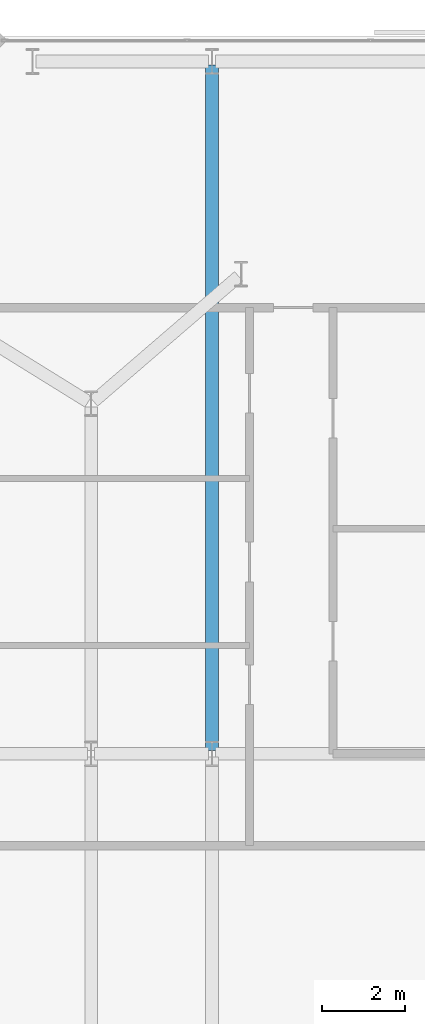
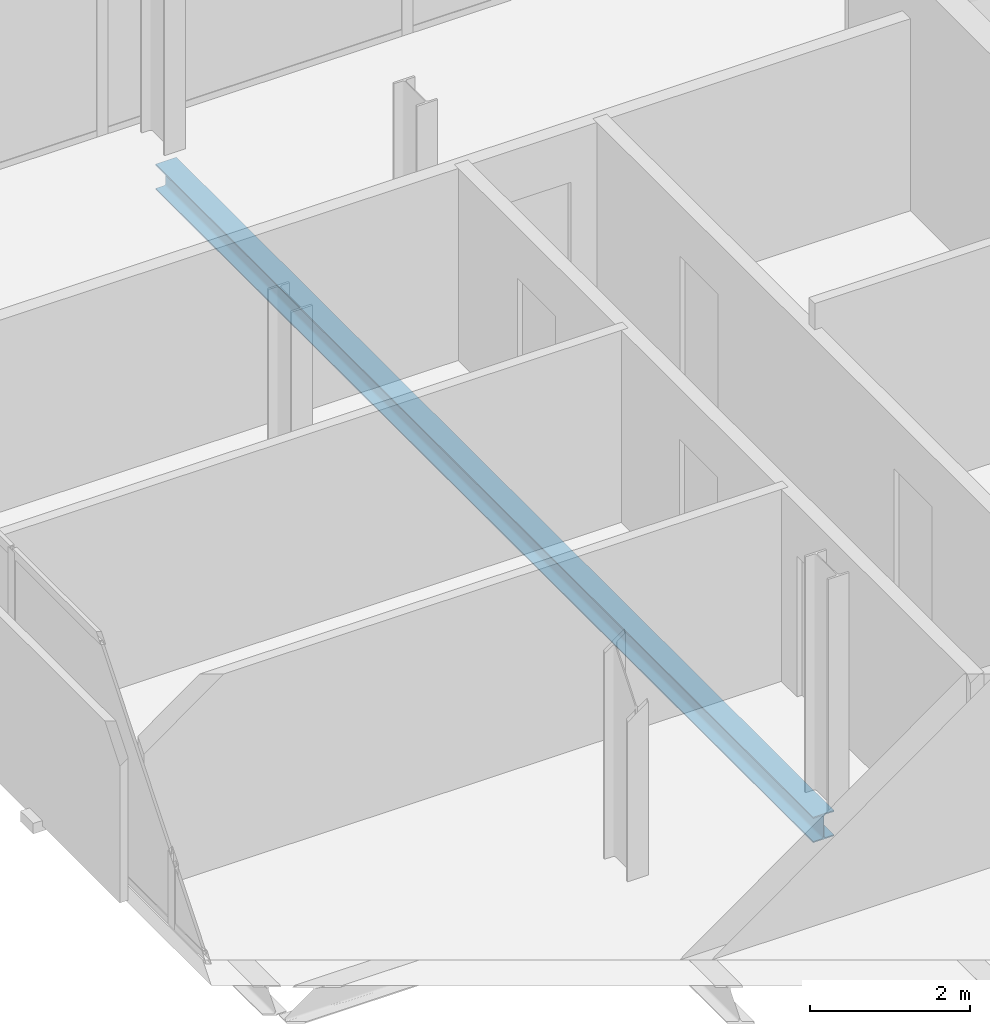
# One storey, part 18 of 32: 1 beam.
"""IFC4 building model written with IfcOpenShell, lengths in metres."""

import ifcopenshell
import ifcopenshell.guid

model = None  # the IFC model being written
_history = None  # IfcOwnerHistory: only IFC2X3 demands one
_inside = {}  # id of a spatial element -> (the spatial element, [elements in it])
_under = {}  # id of a project, library or spatial element -> (it, [spatial elements below it])
_declared = {}  # id of a project -> (the project, [libraries it declares])
_typed = {}  # id of a type object -> (the type object, [elements of that type])
_made_of = {}  # id of a material, layer set ... -> (it, [elements and type objects made of it])


def new_model(schema):
    """Start an empty IFC model of exactly this schema.

    Asked for "IFC4X3", IfcOpenShell would pick the latest addendum, in which some entities
    have other attributes; the version numbers below select the first issue.
    IFC2X3 requires an IfcOwnerHistory on every rooted entity: one is made here for all.
    """
    global model, _history
    if schema == "IFC4X3":
        model = ifcopenshell.file(schema_version=(4, 3, 0, 0))
    else:
        model = ifcopenshell.file(schema=schema)
    _inside.clear()
    _under.clear()
    _declared.clear()
    _typed.clear()
    _made_of.clear()
    _history = None
    if model.schema == "IFC2X3":
        org = make("IfcOrganization", Name="unknown")
        user = make(
            "IfcPersonAndOrganization",
            ThePerson=make("IfcPerson", FamilyName="unknown"),
            TheOrganization=org,
        )
        app = make(
            "IfcApplication",
            ApplicationDeveloper=org,
            Version="unknown",
            ApplicationFullName="unknown",
            ApplicationIdentifier="unknown",
        )
        _history = make(
            "IfcOwnerHistory",
            OwningUser=user,
            OwningApplication=app,
            ChangeAction="ADDED",
            CreationDate=0,
        )
    return model


def make(cls, **values):
    """One entity of the class cls with the attributes given. An attribute that is None is left unset."""
    return model.create_entity(
        cls, **{name: value for name, value in values.items() if value is not None}
    )


def rooted(cls, **values):
    """An entity with a GlobalId (a new one), such as an element, a storey or a relation."""
    return make(cls, GlobalId=ifcopenshell.guid.new(), OwnerHistory=_history, **values)


def si_unit(unit_type, name, prefix=None):
    """IfcSIUnit, for example si_unit("LENGTHUNIT", "METRE", prefix="MILLI")."""
    return make("IfcSIUnit", UnitType=unit_type, Prefix=prefix, Name=name)


def assignment(units):
    """IfcUnitAssignment: the units of a project."""
    return None if units is None else make("IfcUnitAssignment", Units=units)


def point(xyz):
    """IfcCartesianPoint."""
    return None if xyz is None else make("IfcCartesianPoint", Coordinates=xyz)


def direction(xyz):
    """IfcDirection."""
    return None if xyz is None else make("IfcDirection", DirectionRatios=xyz)


def frame(location, z_axis=None, x_axis=None):
    """IfcAxis2Placement3D, a coordinate frame: its origin and axes. An axis left out is left unset."""
    return make(
        "IfcAxis2Placement3D",
        Location=point(location),
        Axis=direction(z_axis),
        RefDirection=direction(x_axis),
    )


def frame_2d(location, x_axis=None):
    """IfcAxis2Placement2D, a coordinate frame in the plane: its origin and x axis."""
    return make(
        "IfcAxis2Placement2D", Location=point(location), RefDirection=direction(x_axis)
    )


def origin():
    """The frame at (0, 0, 0) with its axes left unset."""
    return frame((0.0, 0.0, 0.0))


def origin_2d():
    """The frame at (0, 0) in the plane with its x axis left unset."""
    return frame_2d((0.0, 0.0))


def place(relative_to, where):
    """IfcLocalPlacement: puts the frame where relative to a parent placement (None: the world)."""
    return make(
        "IfcLocalPlacement", PlacementRelTo=relative_to, RelativePlacement=where
    )


def context(
    kind, dimensions, precision=None, world=None, true_north=None, identifier=None
):
    """IfcGeometricRepresentationContext, for example the 3D "Model" context."""
    return make(
        "IfcGeometricRepresentationContext",
        ContextIdentifier=identifier,
        ContextType=kind,
        CoordinateSpaceDimension=dimensions,
        Precision=precision,
        WorldCoordinateSystem=world,
        TrueNorth=true_north,
    )


def subcontext(parent, identifier, kind, view, scale=None):
    """IfcGeometricRepresentationSubContext, for example "Body" below "Model"."""
    return make(
        "IfcGeometricRepresentationSubContext",
        ContextIdentifier=identifier,
        ContextType=kind,
        ParentContext=parent,
        TargetScale=scale,
        TargetView=view,
    )


def project(units=None, contexts=None):
    """IfcProject with its units and contexts."""
    return rooted(
        "IfcProject",
        Name="project",
        RepresentationContexts=contexts,
        UnitsInContext=assignment(units),
    )


def spatial(cls, under=None, at=None, **own):
    """A site, building, storey or space (cls), placed at a placement, below another one or the project."""
    s = rooted(cls, ObjectPlacement=at, **own)
    if under is not None:
        _under.setdefault(under.id(), (under, []))[1].append(s)
    return s


def profile(cls, at=None, kind="AREA", **sizes):
    """A parametric profile (cls). Its sizes go by their IFC names, for example OverallWidth=200.0."""
    return make(cls, ProfileType=kind, Position=at, **sizes)


def i_section(**sizes):
    """IfcIShapeProfileDef."""
    return profile("IfcIShapeProfileDef", **sizes)


def extrude(swept, where, along, depth):
    """IfcExtrudedAreaSolid: the profile swept, set in the frame where, extruded along a direction by depth."""
    return make(
        "IfcExtrudedAreaSolid",
        SweptArea=swept,
        Position=where,
        ExtrudedDirection=direction(along),
        Depth=depth,
    )


def shape(context_of_items, identifier, shape_type, items):
    """IfcShapeRepresentation: the items that make up one representation, for example the "Body"."""
    return make(
        "IfcShapeRepresentation",
        ContextOfItems=context_of_items,
        RepresentationIdentifier=identifier,
        RepresentationType=shape_type,
        Items=items,
    )


def material(Name=None, Category=None):
    """IfcMaterial."""
    return make("IfcMaterial", Name=Name, Category=Category)


def material_profile(
    of_material, cross_section, Name=None, Category=None, Priority=None
):
    """IfcMaterialProfile: a cross section and its material."""
    return make(
        "IfcMaterialProfile",
        Name=Name,
        Material=of_material,
        Profile=cross_section,
        Priority=Priority,
        Category=Category,
    )


def profile_set(profiles, Name=None, composite=None):
    """IfcMaterialProfileSet."""
    return make(
        "IfcMaterialProfileSet",
        Name=Name,
        MaterialProfiles=profiles,
        CompositeProfile=composite,
    )


def made_of(thing, what):
    """Note that an element or type object is made of a material, layer set ...; save() writes the relation."""
    if what is not None:
        _made_of.setdefault(what.id(), (what, []))[1].append(thing)
    return thing


def type_object(cls, material=None, **own):
    """A type object (cls), such as IfcWallType, which elements share."""
    return made_of(rooted(cls, **own), material)


def element(
    cls,
    number,
    at=None,
    inside=None,
    cuts=None,
    type_object=None,
    material=None,
    context=None,
    identifier="Body",
    shape_type=None,
    held_by="IfcProductDefinitionShape",
    body=None,
    shapes=None,
    **own,
):
    """One element of the class cls, such as IfcWall. Its Tag is "e" and its number.

    at: its placement. inside: the storey or other place that contains it. cuts: it is an
    opening in that element (IfcRelVoidsElement). A single representation is given by context,
    identifier, shape_type and body (its items); several are given by shapes. held_by: the class
    of the entity that holds the representations. save() writes the other relations.
    """
    e = rooted(cls, Tag="e%d" % number, ObjectPlacement=at, **own)
    if body is not None:
        shapes = [shape(context, identifier, shape_type, body)]
    if shapes is not None:
        e.Representation = make(held_by, Representations=shapes)
    if inside is not None:
        _inside.setdefault(inside.id(), (inside, []))[1].append(e)
    if cuts is not None:
        rooted(
            "IfcRelVoidsElement", RelatingBuildingElement=cuts, RelatedOpeningElement=e
        )
    if type_object is not None:
        _typed.setdefault(type_object.id(), (type_object, []))[1].append(e)
    return made_of(e, material)


def aggregate(whole, parts):
    """IfcRelAggregates: a whole, such as a stair, and the parts it consists of."""
    return rooted("IfcRelAggregates", RelatingObject=whole, RelatedObjects=parts)


def save(model, path):
    """Write the relations noted so far, then the file.

    IfcRelAggregates (storeys below a building ...), IfcRelContainedInSpatialStructure (elements
    in a storey), IfcRelDefinesByType, IfcRelAssociatesMaterial and IfcRelDeclares: one each for
    every whole, place, type object, material and project.
    """
    for whole, parts in _under.values():
        aggregate(whole, parts)
    for where, things in _inside.values():
        rooted(
            "IfcRelContainedInSpatialStructure",
            RelatedElements=things,
            RelatingStructure=where,
        )
    for kind, things in _typed.values():
        rooted("IfcRelDefinesByType", RelatedObjects=things, RelatingType=kind)
    for what, things in _made_of.values():
        rooted("IfcRelAssociatesMaterial", RelatedObjects=things, RelatingMaterial=what)
    for by, libraries in _declared.values():
        rooted("IfcRelDeclares", RelatingContext=by, RelatedDefinitions=libraries)
    model.write(path)


model = new_model("IFC4")

# Units and contexts
model_context = context("Model", 3, precision=1e-05, world=origin(), true_north=direction((0.0, 1.0)))
body_context = subcontext(model_context, "Body", "Model", "MODEL_VIEW")
ifc_project = project(units=[si_unit("LENGTHUNIT", "METRE"), si_unit("AREAUNIT", "SQUARE_METRE"), si_unit("VOLUMEUNIT", "CUBIC_METRE"), si_unit("PLANEANGLEUNIT", "RADIAN"), si_unit("MASSUNIT", "GRAM", prefix="KILO")], contexts=[model_context])

# Site, building, storey
site_placement = place(None, origin())
site = spatial("IfcSite", under=ifc_project, at=site_placement, CompositionType="ELEMENT")
building_placement = place(site_placement, origin())
building = spatial("IfcBuilding", under=site, at=building_placement, Name="Catumbela Crestline Tower", CompositionType="ELEMENT")
storey_placement = place(building_placement, frame((0.0, 0.0, 136.8)))
storey = spatial("IfcBuildingStorey", under=building, at=storey_placement, Name="L35", CompositionType="ELEMENT", Elevation=136.8)

# Beam
ifc_material = material(Name="Structural steel S355J2", Category="steel")
ifc_material_profile = material_profile(ifc_material, i_section(OverallWidth=0.3, OverallDepth=0.39, WebThickness=0.011, FlangeThickness=0.019, FilletRadius=0.027, at=origin_2d()), Name="HEA 400")
ifc_profile_set = profile_set([ifc_material_profile], Name="Structural steel S355J2")
beam_type = type_object("IfcBeamType", Name="BG-HEA400", PredefinedType="BEAM", material=ifc_profile_set)
beam_placement = place(storey_placement, frame((8.5, 30.88, -0.455), z_axis=(0.0, 1.0, 0.0), x_axis=(-1.0, 0.0, 0.0)))
element("IfcBeam", 1, at=beam_placement, inside=storey, type_object=beam_type, Name="L35 Beam BM-L35-SN27", PredefinedType="BEAM", context=body_context, shape_type="SweptSolid", body=[
    extrude(i_section(OverallWidth=0.3, OverallDepth=0.39, WebThickness=0.011, FlangeThickness=0.019, FilletRadius=0.027, at=origin_2d()), origin(), (0.0, 0.0, 1.0), 16.44),
])

save(model, "model.ifc")
